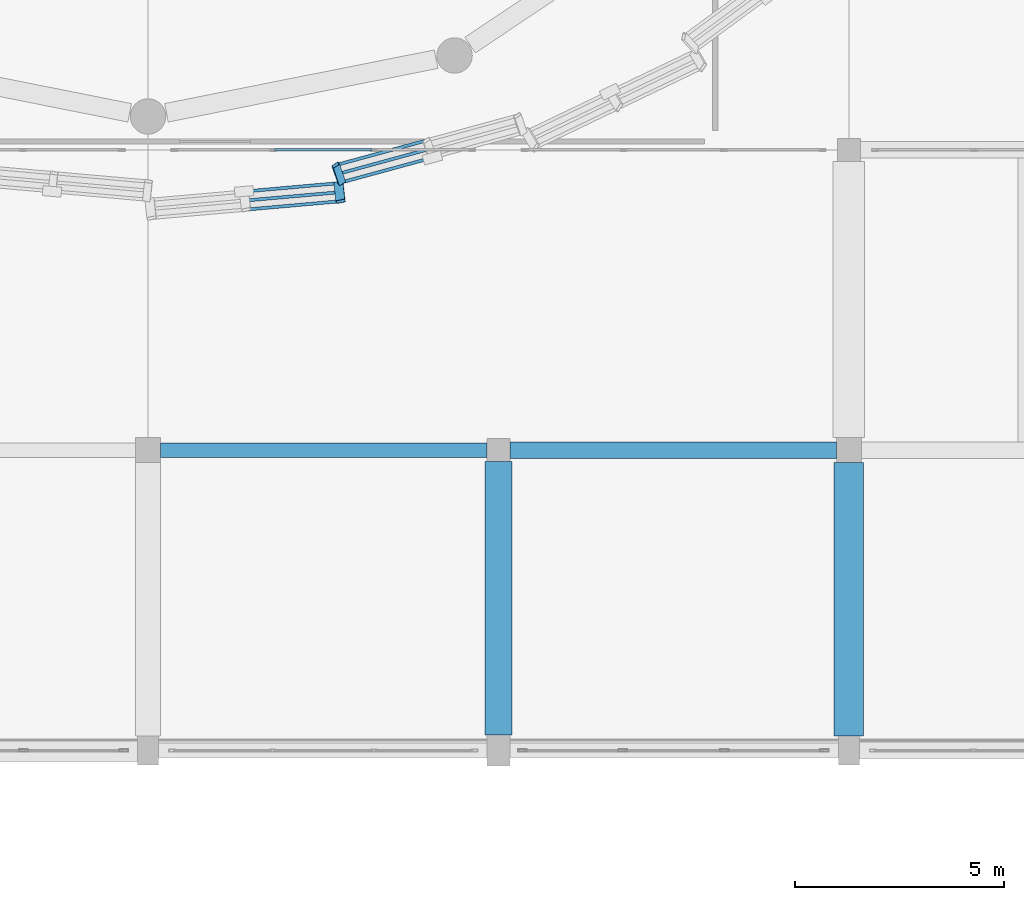
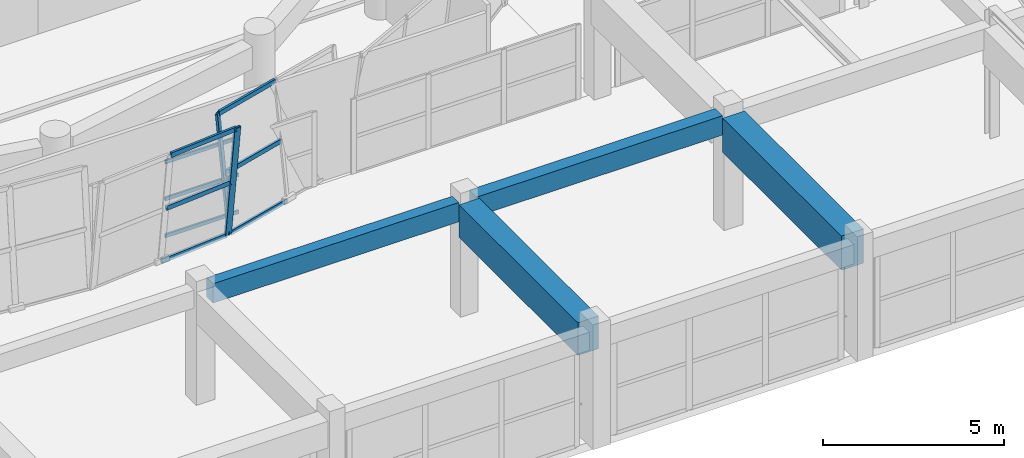
# One storey, part 21 of 74: 11 members, 4 beams, 3 elements without a shape of their own.
"""IFC4 building model written with IfcOpenShell, lengths in metres."""

import ifcopenshell
import ifcopenshell.guid

model = None  # the IFC model being written
_history = None  # IfcOwnerHistory: only IFC2X3 demands one
_inside = {}  # id of a spatial element -> (the spatial element, [elements in it])
_under = {}  # id of a project, library or spatial element -> (it, [spatial elements below it])
_declared = {}  # id of a project -> (the project, [libraries it declares])
_typed = {}  # id of a type object -> (the type object, [elements of that type])
_made_of = {}  # id of a material, layer set ... -> (it, [elements and type objects made of it])


def new_model(schema):
    """Start an empty IFC model of exactly this schema.

    Asked for "IFC4X3", IfcOpenShell would pick the latest addendum, in which some entities
    have other attributes; the version numbers below select the first issue.
    IFC2X3 requires an IfcOwnerHistory on every rooted entity: one is made here for all.
    """
    global model, _history
    if schema == "IFC4X3":
        model = ifcopenshell.file(schema_version=(4, 3, 0, 0))
    else:
        model = ifcopenshell.file(schema=schema)
    _inside.clear()
    _under.clear()
    _declared.clear()
    _typed.clear()
    _made_of.clear()
    _history = None
    if model.schema == "IFC2X3":
        org = make("IfcOrganization", Name="unknown")
        user = make(
            "IfcPersonAndOrganization",
            ThePerson=make("IfcPerson", FamilyName="unknown"),
            TheOrganization=org,
        )
        app = make(
            "IfcApplication",
            ApplicationDeveloper=org,
            Version="unknown",
            ApplicationFullName="unknown",
            ApplicationIdentifier="unknown",
        )
        _history = make(
            "IfcOwnerHistory",
            OwningUser=user,
            OwningApplication=app,
            ChangeAction="ADDED",
            CreationDate=0,
        )
    return model


def make(cls, **values):
    """One entity of the class cls with the attributes given. An attribute that is None is left unset."""
    return model.create_entity(
        cls, **{name: value for name, value in values.items() if value is not None}
    )


def rooted(cls, **values):
    """An entity with a GlobalId (a new one), such as an element, a storey or a relation."""
    return make(cls, GlobalId=ifcopenshell.guid.new(), OwnerHistory=_history, **values)


def si_unit(unit_type, name, prefix=None):
    """IfcSIUnit, for example si_unit("LENGTHUNIT", "METRE", prefix="MILLI")."""
    return make("IfcSIUnit", UnitType=unit_type, Prefix=prefix, Name=name)


def assignment(units):
    """IfcUnitAssignment: the units of a project."""
    return None if units is None else make("IfcUnitAssignment", Units=units)


def point(xyz):
    """IfcCartesianPoint."""
    return None if xyz is None else make("IfcCartesianPoint", Coordinates=xyz)


def direction(xyz):
    """IfcDirection."""
    return None if xyz is None else make("IfcDirection", DirectionRatios=xyz)


def frame(location, z_axis=None, x_axis=None):
    """IfcAxis2Placement3D, a coordinate frame: its origin and axes. An axis left out is left unset."""
    return make(
        "IfcAxis2Placement3D",
        Location=point(location),
        Axis=direction(z_axis),
        RefDirection=direction(x_axis),
    )


def frame_2d(location, x_axis=None):
    """IfcAxis2Placement2D, a coordinate frame in the plane: its origin and x axis."""
    return make(
        "IfcAxis2Placement2D", Location=point(location), RefDirection=direction(x_axis)
    )


def origin():
    """The frame at (0, 0, 0) with its axes left unset."""
    return frame((0.0, 0.0, 0.0))


def origin_2d():
    """The frame at (0, 0) in the plane with its x axis left unset."""
    return frame_2d((0.0, 0.0))


def place(relative_to, where):
    """IfcLocalPlacement: puts the frame where relative to a parent placement (None: the world)."""
    return make(
        "IfcLocalPlacement", PlacementRelTo=relative_to, RelativePlacement=where
    )


def context(
    kind, dimensions, precision=None, world=None, true_north=None, identifier=None
):
    """IfcGeometricRepresentationContext, for example the 3D "Model" context."""
    return make(
        "IfcGeometricRepresentationContext",
        ContextIdentifier=identifier,
        ContextType=kind,
        CoordinateSpaceDimension=dimensions,
        Precision=precision,
        WorldCoordinateSystem=world,
        TrueNorth=true_north,
    )


def subcontext(parent, identifier, kind, view, scale=None):
    """IfcGeometricRepresentationSubContext, for example "Body" below "Model"."""
    return make(
        "IfcGeometricRepresentationSubContext",
        ContextIdentifier=identifier,
        ContextType=kind,
        ParentContext=parent,
        TargetScale=scale,
        TargetView=view,
    )


def project(units=None, contexts=None):
    """IfcProject with its units and contexts."""
    return rooted(
        "IfcProject",
        Name="project",
        RepresentationContexts=contexts,
        UnitsInContext=assignment(units),
    )


def spatial(cls, under=None, at=None, **own):
    """A site, building, storey or space (cls), placed at a placement, below another one or the project."""
    s = rooted(cls, ObjectPlacement=at, **own)
    if under is not None:
        _under.setdefault(under.id(), (under, []))[1].append(s)
    return s


def profile(cls, at=None, kind="AREA", **sizes):
    """A parametric profile (cls). Its sizes go by their IFC names, for example OverallWidth=200.0."""
    return make(cls, ProfileType=kind, Position=at, **sizes)


def rectangle(**sizes):
    """IfcRectangleProfileDef."""
    return profile("IfcRectangleProfileDef", **sizes)


def hollow_rectangle(**sizes):
    """IfcRectangleHollowProfileDef."""
    return profile("IfcRectangleHollowProfileDef", **sizes)


def extrude(swept, where, along, depth):
    """IfcExtrudedAreaSolid: the profile swept, set in the frame where, extruded along a direction by depth."""
    return make(
        "IfcExtrudedAreaSolid",
        SweptArea=swept,
        Position=where,
        ExtrudedDirection=direction(along),
        Depth=depth,
    )


def shape(context_of_items, identifier, shape_type, items):
    """IfcShapeRepresentation: the items that make up one representation, for example the "Body"."""
    return make(
        "IfcShapeRepresentation",
        ContextOfItems=context_of_items,
        RepresentationIdentifier=identifier,
        RepresentationType=shape_type,
        Items=items,
    )


def material(Name=None, Category=None):
    """IfcMaterial."""
    return make("IfcMaterial", Name=Name, Category=Category)


def material_profile(
    of_material, cross_section, Name=None, Category=None, Priority=None
):
    """IfcMaterialProfile: a cross section and its material."""
    return make(
        "IfcMaterialProfile",
        Name=Name,
        Material=of_material,
        Profile=cross_section,
        Priority=Priority,
        Category=Category,
    )


def profile_set(profiles, Name=None, composite=None):
    """IfcMaterialProfileSet."""
    return make(
        "IfcMaterialProfileSet",
        Name=Name,
        MaterialProfiles=profiles,
        CompositeProfile=composite,
    )


def made_of(thing, what):
    """Note that an element or type object is made of a material, layer set ...; save() writes the relation."""
    if what is not None:
        _made_of.setdefault(what.id(), (what, []))[1].append(thing)
    return thing


def type_object(cls, material=None, **own):
    """A type object (cls), such as IfcWallType, which elements share."""
    return made_of(rooted(cls, **own), material)


def element(
    cls,
    number,
    at=None,
    inside=None,
    cuts=None,
    type_object=None,
    material=None,
    context=None,
    identifier="Body",
    shape_type=None,
    held_by="IfcProductDefinitionShape",
    body=None,
    shapes=None,
    **own,
):
    """One element of the class cls, such as IfcWall. Its Tag is "e" and its number.

    at: its placement. inside: the storey or other place that contains it. cuts: it is an
    opening in that element (IfcRelVoidsElement). A single representation is given by context,
    identifier, shape_type and body (its items); several are given by shapes. held_by: the class
    of the entity that holds the representations. save() writes the other relations.
    """
    e = rooted(cls, Tag="e%d" % number, ObjectPlacement=at, **own)
    if body is not None:
        shapes = [shape(context, identifier, shape_type, body)]
    if shapes is not None:
        e.Representation = make(held_by, Representations=shapes)
    if inside is not None:
        _inside.setdefault(inside.id(), (inside, []))[1].append(e)
    if cuts is not None:
        rooted(
            "IfcRelVoidsElement", RelatingBuildingElement=cuts, RelatedOpeningElement=e
        )
    if type_object is not None:
        _typed.setdefault(type_object.id(), (type_object, []))[1].append(e)
    return made_of(e, material)


def aggregate(whole, parts):
    """IfcRelAggregates: a whole, such as a stair, and the parts it consists of."""
    return rooted("IfcRelAggregates", RelatingObject=whole, RelatedObjects=parts)


def save(model, path):
    """Write the relations noted so far, then the file.

    IfcRelAggregates (storeys below a building ...), IfcRelContainedInSpatialStructure (elements
    in a storey), IfcRelDefinesByType, IfcRelAssociatesMaterial and IfcRelDeclares: one each for
    every whole, place, type object, material and project.
    """
    for whole, parts in _under.values():
        aggregate(whole, parts)
    for where, things in _inside.values():
        rooted(
            "IfcRelContainedInSpatialStructure",
            RelatedElements=things,
            RelatingStructure=where,
        )
    for kind, things in _typed.values():
        rooted("IfcRelDefinesByType", RelatedObjects=things, RelatingType=kind)
    for what, things in _made_of.values():
        rooted("IfcRelAssociatesMaterial", RelatedObjects=things, RelatingMaterial=what)
    for by, libraries in _declared.values():
        rooted("IfcRelDeclares", RelatingContext=by, RelatedDefinitions=libraries)
    model.write(path)


model = new_model("IFC4")

# Units and contexts
model_context = context("Model", 3, precision=1e-05, world=origin(), true_north=direction((0.0, 1.0)))
body_context = subcontext(model_context, "Body", "Model", "MODEL_VIEW")
ifc_project = project(units=[si_unit("LENGTHUNIT", "METRE"), si_unit("AREAUNIT", "SQUARE_METRE"), si_unit("VOLUMEUNIT", "CUBIC_METRE"), si_unit("PLANEANGLEUNIT", "RADIAN"), si_unit("MASSUNIT", "GRAM", prefix="KILO")], contexts=[model_context])

# Site, building, storey
site_placement = place(None, origin())
site = spatial("IfcSite", under=ifc_project, at=site_placement, CompositionType="ELEMENT")
building_placement = place(site_placement, origin())
building = spatial("IfcBuilding", under=site, at=building_placement, Name="Korsvaeld Concert Hall", CompositionType="ELEMENT")
storey_placement = place(building_placement, frame((0.0, 0.0, 9.0)))
storey = spatial("IfcBuildingStorey", under=building, at=storey_placement, Name="L02", CompositionType="ELEMENT", Elevation=9.0)

# Beams
ifc_material_1 = material(Name="Concrete C35/45", Category="concrete")
ifc_material_profile_1 = material_profile(ifc_material_1, rectangle(XDim=0.35009765625, YDim=0.64990234375, at=origin_2d()), Name="RC 350x650")
ifc_profile_set_1 = profile_set([ifc_material_profile_1], Name="Concrete C35/45")
beam_type_1 = type_object("IfcBeamType", Name="BM-RC-350x650", PredefinedType="T_BEAM", material=ifc_profile_set_1)
beam_1_placement = place(storey_placement, frame((84.300048828125, 36.0, 3.514892578125), z_axis=(1.0, 0.0, 0.0), x_axis=(0.0, 1.0, 0.0)))
element("IfcBeam", 1, at=beam_1_placement, inside=storey, type_object=beam_type_1, Name="Primary girder 12-13/F L02", PredefinedType="T_BEAM", context=body_context, shape_type="SweptSolid", body=[
    extrude(rectangle(XDim=0.35009765625, YDim=0.64990234375, at=origin_2d()), origin(), (0.0, 0.0, 1.0), 7.824951171875),
])
ifc_material_profile_2 = material_profile(ifc_material_1, rectangle(XDim=0.39990234375, YDim=0.64990234375, at=origin_2d()), Name="RC 400x650")
ifc_profile_set_2 = profile_set([ifc_material_profile_2], Name="Concrete C35/45")
beam_type_2 = type_object("IfcBeamType", Name="BM-RC-400x650", PredefinedType="T_BEAM", material=ifc_profile_set_2)
beam_2_placement = place(storey_placement, frame((92.675048828125, 36.0, 3.514892578125), z_axis=(1.0, 0.0, 0.0), x_axis=(0.0, 1.0, 0.0)))
element("IfcBeam", 2, at=beam_2_placement, inside=storey, type_object=beam_type_2, Name="Primary girder 13-14/F L02", PredefinedType="T_BEAM", context=body_context, shape_type="SweptSolid", body=[
    extrude(rectangle(XDim=0.39990234375, YDim=0.64990234375, at=origin_2d()), origin(), (0.0, 0.0, 1.0), 7.824951171875),
])
ifc_material_2 = material(Name="Concrete C40/50", Category="concrete")
ifc_material_profile_3 = material_profile(ifc_material_2, rectangle(XDim=0.64990234375, YDim=1.10009765625, at=origin_2d()), Name="RC 650x1100")
ifc_profile_set_3 = profile_set([ifc_material_profile_3], Name="Concrete C40/50")
beam_type_3 = type_object("IfcBeamType", Name="BM-RC-650x1100", PredefinedType="T_BEAM", material=ifc_profile_set_3)
beam_3_placement = place(storey_placement, frame((92.39990234375, 29.175048828125, 3.2900390625), z_axis=(0.0, 1.0, 0.0), x_axis=(-1.0, 0.0, 0.0)))
element("IfcBeam", 3, at=beam_3_placement, inside=storey, type_object=beam_type_3, Name="Primary girder 13/E-F L02", PredefinedType="T_BEAM", context=body_context, shape_type="SweptSolid", body=[
    extrude(rectangle(XDim=0.64990234375, YDim=1.10009765625, at=origin_2d()), origin(), (0.0, 0.0, 1.0), 6.550048828125),
])
ifc_material_profile_4 = material_profile(ifc_material_2, rectangle(XDim=0.699951171875, YDim=1.14990234375, at=origin_2d()), Name="RC 700x1150")
ifc_profile_set_4 = profile_set([ifc_material_profile_4], Name="Concrete C40/50")
beam_type_4 = type_object("IfcBeamType", Name="BM-RC-700x1150", PredefinedType="T_BEAM", material=ifc_profile_set_4)
beam_4_placement = place(storey_placement, frame((100.800048828125, 29.14990234375, 3.264892578125), z_axis=(0.0, 1.0, 0.0), x_axis=(-1.0, 0.0, 0.0)))
element("IfcBeam", 4, at=beam_4_placement, inside=storey, type_object=beam_type_4, Name="Primary girder 14/E-F L02", PredefinedType="T_BEAM", context=body_context, shape_type="SweptSolid", body=[
    extrude(rectangle(XDim=0.699951171875, YDim=1.14990234375, at=origin_2d()), origin(), (0.0, 0.0, 1.0), 6.550048828125),
])

# Curtain wall, member
ifc_material_3 = material(Name="Anodised bronze and ceramic-fritted safety glass", Category="glass")
curtain_wall_type_1 = type_object("IfcCurtainWallType", Name="CW-TYPE-02", PredefinedType="USERDEFINED", material=ifc_material_3)
curtain_wall_1_placement = place(storey_placement, origin())
curtain_wall_1 = element("IfcCurtainWall", 5, at=curtain_wall_1_placement, inside=storey, type_object=curtain_wall_type_1, Name="Crystal curtain-wall facet L02 F26", ObjectType="CURTAIN WALL", PredefinedType="USERDEFINED")
ifc_material_4 = material(Name="Anodised architectural bronze aluminium", Category="aluminium")
ifc_material_profile_5 = material_profile(ifc_material_4, hollow_rectangle(XDim=0.074951171875, YDim=0.179931640625, WallThickness=0.0048828125, at=origin_2d()), Name="CWM 180x75x5")
ifc_profile_set_5 = profile_set([ifc_material_profile_5], Name="Anodised architectural bronze aluminium")
member_type_1 = type_object("IfcMemberType", Name="CWM-BRONZE-180x75", PredefinedType="MULLION", material=ifc_profile_set_5)
member_1_placement = place(storey_placement, frame((88.640380859375, 42.417236328125, 0.0), z_axis=(-0.036261565885, 0.107284219065, 0.993566905235), x_axis=(0.556016496994, -0.823958329051, 0.109262651706)))
member_1 = element("IfcMember", 6, at=member_1_placement, type_object=member_type_1, Name="CW-CRYS-L02-F26 crystal mullion 1", PredefinedType="MULLION", context=body_context, shape_type="SweptSolid", body=[
    extrude(hollow_rectangle(XDim=0.074951171875, YDim=0.179931640625, WallThickness=0.0048828125, at=origin_2d()), origin(), (0.0, 0.0, 1.0), 3.905029296875),
])

curtain_wall_type_2 = type_object("IfcCurtainWallType", Name="CW-TYPE-01", PredefinedType="USERDEFINED", material=ifc_material_3)
curtain_wall_2_placement = place(storey_placement, origin())
curtain_wall_2 = element("IfcCurtainWall", 7, at=curtain_wall_2_placement, inside=storey, type_object=curtain_wall_type_2, Name="Crystal curtain-wall facet L02 F25", ObjectType="CURTAIN WALL", PredefinedType="USERDEFINED")
ifc_material_profile_6 = material_profile(ifc_material_4, hollow_rectangle(XDim=0.074951171875, YDim=0.219970703125, WallThickness=0.006103515625, at=origin_2d()), Name="CWM 220x75x6")
ifc_profile_set_6 = profile_set([ifc_material_profile_6], Name="Anodised architectural bronze aluminium")
member_type_2 = type_object("IfcMemberType", Name="CWM-BRONZE-220x75", PredefinedType="MULLION", material=ifc_profile_set_6)
member_2_placement = place(storey_placement, frame((88.566650390625, 42.404052734375, 0.0), z_axis=(0.012378993159, -0.11253630145, 0.993570501466), x_axis=(-0.195828135114, 0.974132056409, 0.112774457103)))
member_2 = element("IfcMember", 8, at=member_2_placement, type_object=member_type_2, Name="CW-CRYS-L02-F25 crystal mullion 3", PredefinedType="MULLION", context=body_context, shape_type="SweptSolid", body=[
    extrude(hollow_rectangle(XDim=0.074951171875, YDim=0.219970703125, WallThickness=0.006103515625, at=origin_2d()), origin(), (0.0, 0.0, 1.0), 3.905029296875),
])

# Curtain wall, members
curtain_wall_type_3 = type_object("IfcCurtainWallType", Name="CW-TYPE-10", PredefinedType="USERDEFINED", material=ifc_material_3)
curtain_wall_3_placement = place(storey_placement, origin())
curtain_wall_3 = element("IfcCurtainWall", 9, at=curtain_wall_3_placement, inside=storey, type_object=curtain_wall_type_3, Name="Glazed foyer acoustic screen L02-34", ObjectType="CURTAIN WALL", PredefinedType="USERDEFINED")
ifc_material_profile_7 = material_profile(ifc_material_4, hollow_rectangle(XDim=0.06005859375, YDim=0.1201171875, WallThickness=0.00390625, at=origin_2d()), Name="CWT 120x60x4")
ifc_profile_set_7 = profile_set([ifc_material_profile_7], Name="Anodised architectural bronze aluminium")
member_type_3 = type_object("IfcMemberType", Name="CWT-ALUM-120x60", PredefinedType="USERDEFINED", material=ifc_profile_set_7)
member_3_placement = place(storey_placement, frame((87.030029296875, 43.199951171875, 0.030029296875), z_axis=(1.0, 0.0, 0.0), x_axis=(0.0, 1.0, 0.0)))
member_3 = element("IfcMember", 10, at=member_3_placement, type_object=member_type_3, Name="CW-10 transom 2.1", ObjectType="TRANSOM", PredefinedType="USERDEFINED", context=body_context, shape_type="SweptSolid", body=[
    extrude(hollow_rectangle(XDim=0.06005859375, YDim=0.1201171875, WallThickness=0.00390625, at=origin_2d()), origin(), (0.0, 0.0, 1.0), 2.340087890625),
])
member_4_placement = place(storey_placement, frame((87.030029296875, 43.199951171875, 1.27490234375), z_axis=(1.0, 0.0, 0.0), x_axis=(0.0, 1.0, 0.0)))
member_4 = element("IfcMember", 11, at=member_4_placement, type_object=member_type_3, Name="CW-10 transom 2.2", ObjectType="TRANSOM", PredefinedType="USERDEFINED", context=body_context, shape_type="SweptSolid", body=[
    extrude(hollow_rectangle(XDim=0.06005859375, YDim=0.1201171875, WallThickness=0.00390625, at=origin_2d()), origin(), (0.0, 0.0, 1.0), 2.340087890625),
])
member_5_placement = place(storey_placement, frame((87.030029296875, 43.199951171875, 2.52001953125), z_axis=(1.0, 0.0, 0.0), x_axis=(0.0, 1.0, 0.0)))
member_5 = element("IfcMember", 12, at=member_5_placement, type_object=member_type_3, Name="CW-10 transom 2.3", ObjectType="TRANSOM", PredefinedType="USERDEFINED", context=body_context, shape_type="SweptSolid", body=[
    extrude(hollow_rectangle(XDim=0.06005859375, YDim=0.1201171875, WallThickness=0.00390625, at=origin_2d()), origin(), (0.0, 0.0, 1.0), 2.340087890625),
])
aggregate(curtain_wall_3, [member_3, member_4, member_5])

# Member
ifc_material_profile_8 = material_profile(ifc_material_4, hollow_rectangle(XDim=0.074951171875, YDim=0.14990234375, WallThickness=0.0048828125, at=origin_2d()), Name="CWT 150x75x5")
ifc_profile_set_8 = profile_set([ifc_material_profile_8], Name="Anodised architectural bronze aluminium")
member_type_4 = type_object("IfcMemberType", Name="CWT-BRONZE-150x75", PredefinedType="USERDEFINED", material=ifc_profile_set_8)
member_6_placement = place(storey_placement, frame((86.33984375, 42.20361328125, 0.030029296875), z_axis=(0.996105218313, 0.088172524341, 0.0), x_axis=(-0.088172524341, 0.996105218313, 0.0)))
member_6 = element("IfcMember", 13, at=member_6_placement, type_object=member_type_4, Name="CW-CRYS-L02-F25 crystal transom 2.1", ObjectType="TRANSOM", PredefinedType="USERDEFINED", context=body_context, shape_type="SweptSolid", body=[
    extrude(hollow_rectangle(XDim=0.074951171875, YDim=0.14990234375, WallThickness=0.0048828125, at=origin_2d()), origin(), (0.0, 0.0, 1.0), 2.198486328125),
])

member_7_placement = place(storey_placement, frame((86.363525390625, 41.9873046875, 1.93994140625), z_axis=(0.996105218313, 0.088172524341, 0.0), x_axis=(-0.088172524341, 0.996105218313, 0.0)))
member_7 = element("IfcMember", 14, at=member_7_placement, type_object=member_type_4, Name="CW-CRYS-L02-F25 crystal transom 2.2", ObjectType="TRANSOM", PredefinedType="USERDEFINED", context=body_context, shape_type="SweptSolid", body=[
    extrude(hollow_rectangle(XDim=0.074951171875, YDim=0.14990234375, WallThickness=0.0048828125, at=origin_2d()), origin(), (0.0, 0.0, 1.0), 2.198486328125),
])

member_8_placement = place(storey_placement, frame((86.38720703125, 41.77099609375, 3.85009765625), z_axis=(0.996105218313, 0.088172524341, 0.0), x_axis=(-0.088172524341, 0.996105218313, 0.0)))
member_8 = element("IfcMember", 15, at=member_8_placement, type_object=member_type_4, Name="CW-CRYS-L02-F25 crystal transom 2.3", ObjectType="TRANSOM", PredefinedType="USERDEFINED", context=body_context, shape_type="SweptSolid", body=[
    extrude(hollow_rectangle(XDim=0.074951171875, YDim=0.14990234375, WallThickness=0.0048828125, at=origin_2d()), origin(), (0.0, 0.0, 1.0), 2.198486328125),
])

aggregate(curtain_wall_2, [member_2, member_6, member_7, member_8])

member_9_placement = place(storey_placement, frame((88.67529296875, 42.430419921875, 0.030029296875), z_axis=(0.964841242841, 0.262833361873, 0.0), x_axis=(-0.262833361873, 0.964841242841, 0.0)))
member_9 = element("IfcMember", 16, at=member_9_placement, type_object=member_type_4, Name="CW-CRYS-L02-F26 crystal transom 1.1", ObjectType="TRANSOM", PredefinedType="USERDEFINED", context=body_context, shape_type="SweptSolid", body=[
    extrude(hollow_rectangle(XDim=0.074951171875, YDim=0.14990234375, WallThickness=0.0048828125, at=origin_2d()), origin(), (0.0, 0.0, 1.0), 2.181884765625),
])

member_10_placement = place(storey_placement, frame((88.605712890625, 42.636474609375, 1.93994140625), z_axis=(0.964805126409, 0.262965906641, 0.0), x_axis=(-0.262965906641, 0.964805126409, 0.0)))
member_10 = element("IfcMember", 17, at=member_10_placement, type_object=member_type_4, Name="CW-CRYS-L02-F26 crystal transom 1.2", ObjectType="TRANSOM", PredefinedType="USERDEFINED", context=body_context, shape_type="SweptSolid", body=[
    extrude(hollow_rectangle(XDim=0.074951171875, YDim=0.14990234375, WallThickness=0.0048828125, at=origin_2d()), origin(), (0.0, 0.0, 1.0), 2.181884765625),
])

member_11_placement = place(storey_placement, frame((88.5361328125, 42.8427734375, 3.85009765625), z_axis=(0.964833511963, 0.262861739689, 0.0), x_axis=(-0.262861739689, 0.964833511963, 0.0)))
member_11 = element("IfcMember", 18, at=member_11_placement, type_object=member_type_4, Name="CW-CRYS-L02-F26 crystal transom 1.3", ObjectType="TRANSOM", PredefinedType="USERDEFINED", context=body_context, shape_type="SweptSolid", body=[
    extrude(hollow_rectangle(XDim=0.074951171875, YDim=0.14990234375, WallThickness=0.0048828125, at=origin_2d()), origin(), (0.0, 0.0, 1.0), 2.181640625),
])

aggregate(curtain_wall_1, [member_1, member_9, member_10, member_11])

save(model, "model.ifc")
